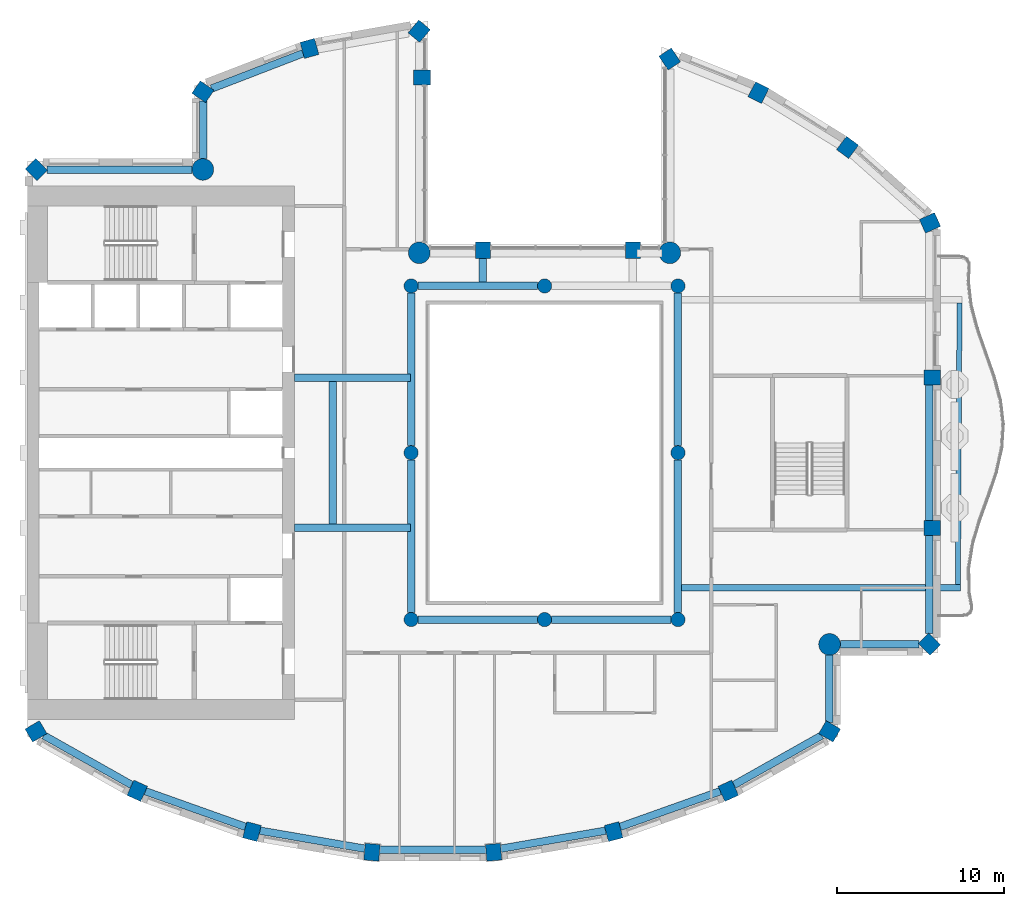
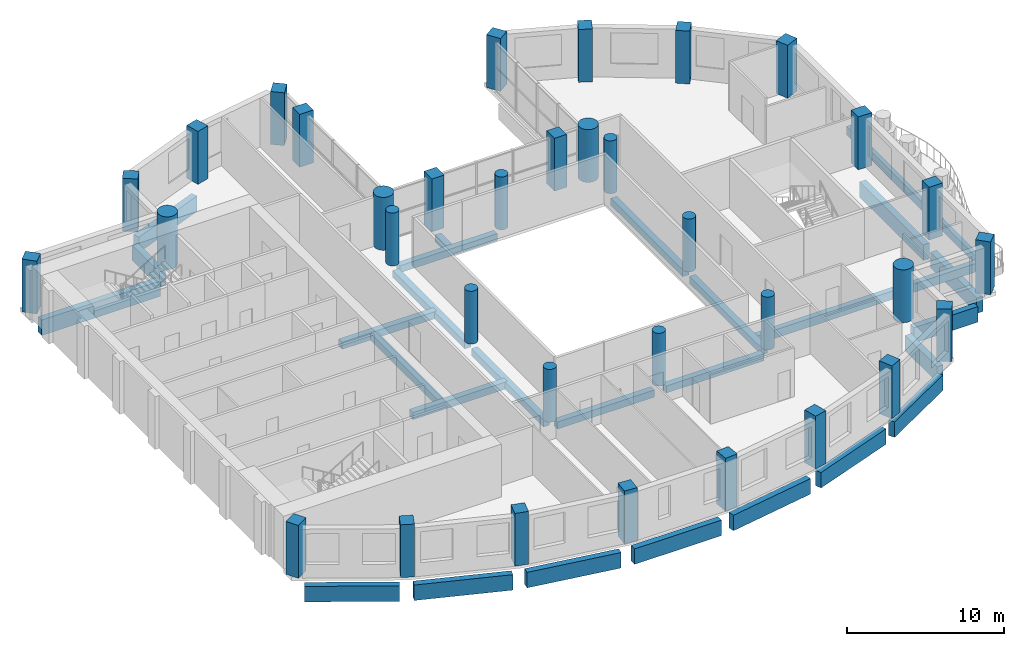
# One storey, part 1 of 14: 34 columns, 27 beams.
"""IFC4 building model written with IfcOpenShell, lengths in metres."""

from ifc_helpers import new_model, si_unit, direction, frame, origin, origin_2d, place, context, subcontext, project, spatial, rectangle, circle, extrude, material, material_profile, profile_set, type_object, element, save


model = new_model("IFC4")

# Units and contexts
model_context = context("Model", 3, precision=1e-05, world=origin(), true_north=direction((0.0, 1.0)))
body_context = subcontext(model_context, "Body", "Model", "MODEL_VIEW")
ifc_project = project(units=[si_unit("LENGTHUNIT", "METRE"), si_unit("AREAUNIT", "SQUARE_METRE"), si_unit("VOLUMEUNIT", "CUBIC_METRE"), si_unit("PLANEANGLEUNIT", "RADIAN"), si_unit("MASSUNIT", "GRAM", prefix="KILO")], contexts=[model_context])

# Site, building, storey
site_placement = place(None, origin())
site = spatial("IfcSite", under=ifc_project, at=site_placement, CompositionType="ELEMENT")
building_placement = place(site_placement, origin())
building = spatial("IfcBuilding", under=site, at=building_placement, Name="Cypress Arch Tower", CompositionType="ELEMENT")
storey_placement = place(building_placement, frame((0.0, 0.0, 280.300048828125)))
storey = spatial("IfcBuildingStorey", under=building, at=storey_placement, Name="L63", CompositionType="ELEMENT", Elevation=280.300048828125)

# Columns
ifc_material_1 = material(Name="Concrete C60/75", Category="concrete")
ifc_material_profile_1 = material_profile(ifc_material_1, rectangle(XDim=0.89990234375, YDim=1.0, at=origin_2d()), Name="RC 900x1000")
ifc_profile_set_1 = profile_set([ifc_material_profile_1], Name="Concrete C60/75")
column_type_1 = type_object("IfcColumnType", Name="Column RC 900x1000 Concrete C60/75", PredefinedType="COLUMN", material=ifc_profile_set_1)
for number, where, z_axis, x_axis, name in (
    (1, (8.5029296875, 23.606201171875, 0.0), (0.0, 0.0, 1.0), (-0.828469606019, -0.560034027451, 0.0), "Column L63 CC00"),
    (2, (6.300048828125, 12.14990234375, 0.0), (0.0, 0.0, 1.0), (-1.0, 0.0, 0.0), "Column L63 CC02"),
    (3, (-2.699951171875, 12.14990234375, 0.0), (0.0, 0.0, 1.0), (-1.0, 0.0, 0.0), "Column L63 CC03"),
    (4, (-6.35009765625, 22.5, 0.0), (0.0, 0.0, 1.0), (0.0, 1.0, 0.0), "Column L63 CC05"),
    (5, (-6.51611328125, 25.27490234375, 0.0), (0.0, 0.0, 1.0), (-0.766063514674, 0.642764880407, 0.0), "Column L63 CC06"),
    (6, (-13.0947265625, 24.241455078125, 0.0), (0.0, 0.0, 1.0), (-0.96345574646, -0.267867550506, 0.0), "Column L63 CC07"),
    (7, (-19.483154296875, 21.645263671875, 0.0), (0.0, 0.0, 1.0), (-0.565892599589, -0.824478966215, 0.0), "Column L63 CC08"),
    (8, (-29.478271484375, 16.978271484375, 0.0), (0.0, 0.0, 1.0), (-0.707106781187, -0.707106781187, 0.0), "Column L63 CC10"),
    (9, (-29.4912109375, -16.702880859375, 0.0), (0.0, 0.0, 1.0), (0.504399289829, -0.86347053014, 0.0), "Column L63 CC11"),
    (10, (-23.4189453125, -20.266845703125, 0.0), (0.0, 0.0, 1.0), (0.909932071487, -0.414757308891, 0.0), "Column L63 CC12"),
    (11, (-16.541748046875, -22.714599609375, 0.0), (0.0, 0.0, 1.0), (0.96735573689, -0.2534223319, 0.0), "Column L63 CC13"),
    (12, (-9.346923828125, -23.95361328125, 0.0), (0.0, 0.0, 1.0), (0.996368206733, -0.085149260784, 0.0), "Column L63 CC14"),
    (13, (-2.052978515625, -23.95361328125, 0.0), (0.0, 0.0, 1.0), (0.996368206733, 0.085149260784, 0.0), "Column L63 CC15"),
    (14, (5.1416015625, -22.714599609375, 0.0), (0.0, 0.0, 1.0), (0.96735573689, 0.2534223319, 0.0), "Column L63 CC16"),
    (15, (12.01904296875, -20.266845703125, 0.0), (0.0, 0.0, 1.0), (0.909932071487, 0.414757308891, 0.0), "Column L63 CC17"),
    (16, (18.09130859375, -16.702880859375, 0.0), (0.0, 0.0, 1.0), (0.504399289829, 0.86347053014, 0.0), "Column L63 CC18"),
    (17, (24.078369140625, -11.478271484375, 0.0), (0.0, 0.0, 1.0), (0.707106781187, 0.707106781187, 0.0), "Column L63 CC20"),
    (18, (24.25, -4.5, 0.0), (0.0, 0.0, 1.0), (0.0, 1.0, 0.0), "Column L63 CC21"),
    (19, (24.25, 4.5, 0.0), (0.0, 0.0, 1.0), (0.0, 1.0, 0.0), "Column L63 CC22"),
    (20, (24.109619140625, 13.77978515625, 0.0), (0.0, 0.0, 1.0), (-0.409765058504, 0.912191096662, 0.0), "Column L63 CC23"),
    (21, (19.168212890625, 18.307861328125, 0.0), (0.0, 0.0, 1.0), (-0.802798546114, 0.596250362144, 0.0), "Column L63 CC24"),
    (22, (13.82568359375, 21.59375, 0.0), (0.0, 0.0, 1.0), (-0.893106499805, 0.44984528452, 0.0), "Column L63 CC25"),
):
    element("IfcColumn", number, at=place(storey_placement, frame(where, z_axis=z_axis, x_axis=x_axis)), inside=storey, type_object=column_type_1, Name=name, PredefinedType="COLUMN", context=body_context, shape_type="SweptSolid", body=[
        extrude(rectangle(XDim=0.89990234375, YDim=1.0, at=origin_2d()), origin(), (0.0, 0.0, 1.0), 4.099853515625),
    ])
ifc_material_2 = material(Name="Concrete C60/75", Category="concrete")
ifc_material_profile_2 = material_profile(ifc_material_2, circle(Radius=0.425048828125, at=origin_2d()), Name="RC D850")
ifc_profile_set_2 = profile_set([ifc_material_profile_2], Name="Concrete C60/75")
column_type_2 = type_object("IfcColumnType", Name="Column RC D850 Concrete C60/75", PredefinedType="COLUMN", material=ifc_profile_set_2)
for number, where, z_axis, x_axis, name in (
    (23, (-7.0, -10.0, 0.0), (0.0, 0.0, 1.0), (1.0, 0.0, 0.0), "Column L63 RNG-L63-G-7-10"),
    (24, (-7.0, 0.0, 0.0), (0.0, 0.0, 1.0), (1.0, 0.0, 0.0), "Column L63 RNG-L63-G-7+0"),
    (25, (-7.0, 10.0, 0.0), (0.0, 0.0, 1.0), (1.0, 0.0, 0.0), "Column L63 RNG-L63-G-7+10"),
    (26, (1.0, -10.0, 0.0), (0.0, 0.0, 1.0), (1.0, 0.0, 0.0), "Column L63 RNG-L63-G+1-10"),
    (27, (1.0, 10.0, 0.0), (0.0, 0.0, 1.0), (1.0, 0.0, 0.0), "Column L63 RNG-L63-G+1+10"),
    (28, (9.0, -10.0, 0.0), (0.0, 0.0, 1.0), (1.0, 0.0, 0.0), "Column L63 RNG-L63-G+9-10"),
    (29, (9.0, 0.0, 0.0), (0.0, 0.0, 1.0), (1.0, 0.0, 0.0), "Column L63 RNG-L63-G+9+0"),
    (30, (9.0, 10.0, 0.0), (0.0, 0.0, 1.0), (1.0, 0.0, 0.0), "Column L63 RNG-L63-G+9+10"),
):
    element("IfcColumn", number, at=place(storey_placement, frame(where, z_axis=z_axis, x_axis=x_axis)), inside=storey, type_object=column_type_2, Name=name, PredefinedType="COLUMN", context=body_context, shape_type="SweptSolid", body=[
        extrude(circle(Radius=0.425048828125, at=origin_2d()), origin(), (0.0, 0.0, 1.0), 4.099853515625),
    ])
ifc_material_3 = material(Name="Concrete C60/75", Category="concrete")
ifc_material_profile_3 = material_profile(ifc_material_3, circle(Radius=0.64990234375, at=origin_2d()), Name="RC D1300")
ifc_profile_set_3 = profile_set([ifc_material_profile_3], Name="Concrete C60/75")
column_type_3 = type_object("IfcColumnType", Name="Mega-column RC D1300 Concrete C60/75", PredefinedType="COLUMN", material=ifc_profile_set_3)
for number, where, z_axis, x_axis, name in (
    (31, (8.51220703125, 11.98779296875, 0.0), (0.0, 0.0, 1.0), (1.0, 0.0, 0.0), "Column L63 CC01"),
    (32, (-6.51220703125, 11.98779296875, 0.0), (0.0, 0.0, 1.0), (1.0, 0.0, 0.0), "Column L63 CC04"),
    (33, (-19.48779296875, 16.98779296875, 0.0), (0.0, 0.0, 1.0), (1.0, 0.0, 0.0), "Column L63 CC09"),
    (34, (18.087890625, -11.48779296875, 0.0), (0.0, 0.0, 1.0), (1.0, 0.0, 0.0), "Column L63 CC19"),
):
    element("IfcColumn", number, at=place(storey_placement, frame(where, z_axis=z_axis, x_axis=x_axis)), inside=storey, type_object=column_type_3, Name=name, PredefinedType="COLUMN", context=body_context, shape_type="SweptSolid", body=[
        extrude(circle(Radius=0.64990234375, at=origin_2d()), origin(), (0.0, 0.0, 1.0), 4.099853515625),
    ])

# Beams
ifc_material_4 = material(Name="Concrete C50/60", Category="concrete")
ifc_material_profile_4 = material_profile(ifc_material_4, rectangle(XDim=0.300048828125, YDim=0.64990234375, at=origin_2d()), Name="RC 300x650")
ifc_profile_set_4 = profile_set([ifc_material_profile_4], Name="Concrete C50/60")
beam_type_1 = type_object("IfcBeamType", Name="Balcony edge beam RC 300x650 Concrete C50/60", PredefinedType="BEAM", material=ifc_profile_set_4)
beam_1_placement = place(storey_placement, frame((25.78955078125, -7.89990234375, -0.625), z_axis=(0.005307151473, 0.999985916972, 0.0), x_axis=(-0.999985916972, 0.005307151473, 0.0)))
element("IfcBeam", 35, at=beam_1_placement, inside=storey, type_object=beam_type_1, Name="Balcony edge beam L63 C17", PredefinedType="BEAM", context=body_context, shape_type="SweptSolid", body=[
    extrude(rectangle(XDim=0.300048828125, YDim=0.64990234375, at=origin_2d()), origin(), (0.0, 0.0, 1.0), 16.8828125),
])
ifc_material_5 = material(Name="Concrete C50/60", Category="concrete")
ifc_material_profile_5 = material_profile(ifc_material_5, rectangle(XDim=0.39990234375, YDim=0.64990234375, at=origin_2d()), Name="RC 400x650")
ifc_profile_set_5 = profile_set([ifc_material_profile_5], Name="Concrete C50/60")
beam_type_2 = type_object("IfcBeamType", Name="Cantilever beam RC 400x650 Concrete C50/60", PredefinedType="BEAM", material=ifc_profile_set_5)
beam_2_placement = place(storey_placement, frame((9.22509765625, -8.10009765625, -0.625), z_axis=(1.0, 0.0, 0.0), x_axis=(0.0, 1.0, 0.0)))
element("IfcBeam", 36, at=beam_2_placement, inside=storey, type_object=beam_type_2, Name="Cantilever beam L63 C17 1", PredefinedType="BEAM", context=body_context, shape_type="SweptSolid", body=[
    extrude(rectangle(XDim=0.39990234375, YDim=0.64990234375, at=origin_2d()), origin(), (0.0, 0.0, 1.0), 16.714599609375),
])
ifc_material_6 = material(Name="Concrete C50/60", Category="concrete")
ifc_material_profile_6 = material_profile(ifc_material_6, rectangle(XDim=0.449951171875, YDim=0.550048828125, at=origin_2d()), Name="RC 450x550")
ifc_profile_set_6 = profile_set([ifc_material_profile_6], Name="Concrete C50/60")
beam_type_3 = type_object("IfcBeamType", Name="Floor beam RC 450x550 Concrete C50/60", PredefinedType="BEAM", material=ifc_profile_set_6)
for number, where, z_axis, x_axis, name in (
    (37, (-7.0, -9.574951171875, -0.574951171875), (0.0, 1.0, 0.0), (-1.0, 0.0, 0.0), "Floor beam L63 RB001"),
    (38, (-7.0, 0.425048828125, -0.574951171875), (0.0, 1.0, 0.0), (-1.0, 0.0, 0.0), "Floor beam L63 RB002"),
    (39, (9.0, -9.574951171875, -0.574951171875), (0.0, 1.0, 0.0), (-1.0, 0.0, 0.0), "Floor beam L63 RB003"),
    (40, (9.0, 0.425048828125, -0.574951171875), (0.0, 1.0, 0.0), (-1.0, 0.0, 0.0), "Floor beam L63 RB004"),
):
    element("IfcBeam", number, at=place(storey_placement, frame(where, z_axis=z_axis, x_axis=x_axis)), inside=storey, type_object=beam_type_3, Name=name, PredefinedType="BEAM", context=body_context, shape_type="SweptSolid", body=[
        extrude(rectangle(XDim=0.449951171875, YDim=0.550048828125, at=origin_2d()), origin(), (0.0, 0.0, 1.0), 9.14990234375),
    ])
for number, where, z_axis, x_axis, name in (
    (41, (-6.574951171875, -10.0, -0.574951171875), (1.0, 0.0, 0.0), (0.0, 1.0, 0.0), "Floor beam L63 RB005"),
    (42, (1.425048828125, -10.0, -0.574951171875), (1.0, 0.0, 0.0), (0.0, 1.0, 0.0), "Floor beam L63 RB006"),
    (43, (-6.574951171875, 10.0, -0.574951171875), (1.0, 0.0, 0.0), (0.0, 1.0, 0.0), "Floor beam L63 RB007"),
):
    element("IfcBeam", number, at=place(storey_placement, frame(where, z_axis=z_axis, x_axis=x_axis)), inside=storey, type_object=beam_type_3, Name=name, PredefinedType="BEAM", context=body_context, shape_type="SweptSolid", body=[
        extrude(rectangle(XDim=0.449951171875, YDim=0.550048828125, at=origin_2d()), origin(), (0.0, 0.0, 1.0), 7.14990234375),
    ])
for number, where, z_axis, x_axis, name in (
    (44, (-14.0, -4.5, -0.574951171875), (1.0, 0.0, 0.0), (0.0, 1.0, 0.0), "Floor beam L63 FB009"),
    (45, (-14.0, 4.5, -0.574951171875), (1.0, 0.0, 0.0), (0.0, 1.0, 0.0), "Floor beam L63 FB010"),
):
    element("IfcBeam", number, at=place(storey_placement, frame(where, z_axis=z_axis, x_axis=x_axis)), inside=storey, type_object=beam_type_3, Name=name, PredefinedType="BEAM", context=body_context, shape_type="SweptSolid", body=[
        extrude(rectangle(XDim=0.449951171875, YDim=0.550048828125, at=origin_2d()), origin(), (0.0, 0.0, 1.0), 6.949951171875),
    ])
beam_3_placement = place(storey_placement, frame((-11.699951171875, -4.27490234375, -0.574951171875), z_axis=(0.0, 1.0, 0.0), x_axis=(-1.0, 0.0, 0.0)))
element("IfcBeam", 46, at=beam_3_placement, inside=storey, type_object=beam_type_3, Name="Floor beam L63 FB011", PredefinedType="BEAM", context=body_context, shape_type="SweptSolid", body=[
    extrude(rectangle(XDim=0.449951171875, YDim=0.550048828125, at=origin_2d()), origin(), (0.0, 0.0, 1.0), 8.5498046875),
])
beam_4_placement = place(storey_placement, frame((-2.699951171875, 10.22509765625, -0.574951171875), z_axis=(0.0, 1.0, 0.0), x_axis=(-1.0, 0.0, 0.0)))
element("IfcBeam", 47, at=beam_4_placement, inside=storey, type_object=beam_type_3, Name="Floor beam L63 FB012", PredefinedType="BEAM", context=body_context, shape_type="SweptSolid", body=[
    extrude(rectangle(XDim=0.449951171875, YDim=0.550048828125, at=origin_2d()), origin(), (0.0, 0.0, 1.0), 1.4248046875),
])
ifc_material_7 = material(Name="Concrete C50/60", Category="concrete")
ifc_material_profile_7 = material_profile(ifc_material_7, rectangle(XDim=0.449951171875, YDim=1.199951171875, at=origin_2d()), Name="RC 450x1200")
ifc_profile_set_7 = profile_set([ifc_material_profile_7], Name="Concrete C50/60")
beam_type_4 = type_object("IfcBeamType", Name="Spandrel beam RC 450x1200 Concrete C50/60", PredefinedType="SPANDREL", material=ifc_profile_set_7)
beam_5_placement = place(storey_placement, frame((-13.48046875, 23.94921875, -1.550048828125), z_axis=(-0.933138853319, -0.359516175472, 0.0), x_axis=(0.359516175472, -0.933138853319, 0.0)))
element("IfcBeam", 48, at=beam_5_placement, inside=storey, type_object=beam_type_4, Name="Spandrel beam L63 BC04-0", PredefinedType="SPANDREL", context=body_context, shape_type="SweptSolid", body=[
    extrude(rectangle(XDim=0.449951171875, YDim=1.199951171875, at=origin_2d()), origin(), (0.0, 0.0, 1.0), 5.878173828125),
])
beam_6_placement = place(storey_placement, frame((-19.47509765625, 21.09375, -1.550048828125), z_axis=(0.0, -1.0, 0.0), x_axis=(1.0, 0.0, 0.0)))
element("IfcBeam", 49, at=beam_6_placement, inside=storey, type_object=beam_type_4, Name="Spandrel beam L63 BC05-0", PredefinedType="SPANDREL", context=body_context, shape_type="SweptSolid", body=[
    extrude(rectangle(XDim=0.449951171875, YDim=1.199951171875, at=origin_2d()), origin(), (0.0, 0.0, 1.0), 3.456298828125),
])
beam_7_placement = place(storey_placement, frame((-20.137451171875, 16.97509765625, -1.550048828125), z_axis=(-1.0, 0.0, 0.0), x_axis=(0.0, -1.0, 0.0)))
element("IfcBeam", 50, at=beam_7_placement, inside=storey, type_object=beam_type_4, Name="Spandrel beam L63 BC06-0", PredefinedType="SPANDREL", context=body_context, shape_type="SweptSolid", body=[
    extrude(rectangle(XDim=0.449951171875, YDim=1.199951171875, at=origin_2d()), origin(), (0.0, 0.0, 1.0), 8.701171875),
])
beam_8_placement = place(storey_placement, frame((-29.02099609375, -16.94921875, -1.550048828125), z_axis=(0.871059543975, -0.491177433165, 0.0), x_axis=(0.491177433165, 0.871059543975, 0.0)))
element("IfcBeam", 51, at=beam_8_placement, inside=storey, type_object=beam_type_4, Name="Spandrel beam L63 BC08-0", PredefinedType="SPANDREL", context=body_context, shape_type="SweptSolid", body=[
    extrude(rectangle(XDim=0.449951171875, YDim=1.199951171875, at=origin_2d()), origin(), (0.0, 0.0, 1.0), 6.045654296875),
])
beam_9_placement = place(storey_placement, frame((-22.93603515625, -20.2919921875, -1.550048828125), z_axis=(0.942120065582, -0.33527568064, 0.0), x_axis=(0.33527568064, 0.942120065582, 0.0)))
element("IfcBeam", 52, at=beam_9_placement, inside=storey, type_object=beam_type_4, Name="Spandrel beam L63 BC09-0", PredefinedType="SPANDREL", context=body_context, shape_type="SweptSolid", body=[
    extrude(rectangle(XDim=0.449951171875, YDim=1.199951171875, at=origin_2d()), origin(), (0.0, 0.0, 1.0), 6.373046875),
])
beam_10_placement = place(storey_placement, frame((-16.061279296875, -22.656982421875, -1.550048828125), z_axis=(0.985502990778, -0.169658053646, 0.0), x_axis=(0.169658053646, 0.985502990778, 0.0)))
element("IfcBeam", 53, at=beam_10_placement, inside=storey, type_object=beam_type_4, Name="Spandrel beam L63 BC10-0", PredefinedType="SPANDREL", context=body_context, shape_type="SweptSolid", body=[
    extrude(rectangle(XDim=0.449951171875, YDim=1.199951171875, at=origin_2d()), origin(), (0.0, 0.0, 1.0), 6.373291015625),
])
beam_11_placement = place(storey_placement, frame((-8.883544921875, -23.81494140625, -1.550048828125), z_axis=(1.0, 0.0, 0.0), x_axis=(0.0, 1.0, 0.0)))
element("IfcBeam", 54, at=beam_11_placement, inside=storey, type_object=beam_type_4, Name="Spandrel beam L63 BC11-0", PredefinedType="SPANDREL", context=body_context, shape_type="SweptSolid", body=[
    extrude(rectangle(XDim=0.449951171875, YDim=1.199951171875, at=origin_2d()), origin(), (0.0, 0.0, 1.0), 6.366943359375),
])
beam_12_placement = place(storey_placement, frame((-1.619873046875, -23.73828125, -1.550048828125), z_axis=(0.985504093315, 0.169651649149, 0.0), x_axis=(-0.169651649149, 0.985504093315, 0.0)))
element("IfcBeam", 55, at=beam_12_placement, inside=storey, type_object=beam_type_4, Name="Spandrel beam L63 BC12-0", PredefinedType="SPANDREL", context=body_context, shape_type="SweptSolid", body=[
    extrude(rectangle(XDim=0.449951171875, YDim=1.199951171875, at=origin_2d()), origin(), (0.0, 0.0, 1.0), 6.37353515625),
])
beam_13_placement = place(storey_placement, frame((5.531982421875, -22.4287109375, -1.550048828125), z_axis=(0.942115759102, 0.335287781541, 0.0), x_axis=(-0.335287781541, 0.942115759102, 0.0)))
element("IfcBeam", 56, at=beam_13_placement, inside=storey, type_object=beam_type_4, Name="Spandrel beam L63 BC13-0", PredefinedType="SPANDREL", context=body_context, shape_type="SweptSolid", body=[
    extrude(rectangle(XDim=0.449951171875, YDim=1.199951171875, at=origin_2d()), origin(), (0.0, 0.0, 1.0), 6.372802734375),
])
beam_14_placement = place(storey_placement, frame((12.35498046875, -19.918701171875, -1.550048828125), z_axis=(0.871059543975, 0.491177433165, 0.0), x_axis=(-0.491177433165, 0.871059543975, 0.0)))
element("IfcBeam", 57, at=beam_14_placement, inside=storey, type_object=beam_type_4, Name="Spandrel beam L63 BC14-0", PredefinedType="SPANDREL", context=body_context, shape_type="SweptSolid", body=[
    extrude(rectangle(XDim=0.449951171875, YDim=1.199951171875, at=origin_2d()), origin(), (0.0, 0.0, 1.0), 6.045654296875),
])
beam_15_placement = place(storey_placement, frame((18.074951171875, -16.172119140625, -1.550048828125), z_axis=(0.0, 1.0, 0.0), x_axis=(-1.0, 0.0, 0.0)))
element("IfcBeam", 58, at=beam_15_placement, inside=storey, type_object=beam_type_4, Name="Spandrel beam L63 BC15-0", PredefinedType="SPANDREL", context=body_context, shape_type="SweptSolid", body=[
    extrude(rectangle(XDim=0.449951171875, YDim=1.199951171875, at=origin_2d()), origin(), (0.0, 0.0, 1.0), 4.03466796875),
])
beam_16_placement = place(storey_placement, frame((18.737548828125, -11.47509765625, -1.550048828125), z_axis=(1.0, 0.0, 0.0), x_axis=(0.0, 1.0, 0.0)))
element("IfcBeam", 59, at=beam_16_placement, inside=storey, type_object=beam_type_4, Name="Spandrel beam L63 BC16-0", PredefinedType="SPANDREL", context=body_context, shape_type="SweptSolid", body=[
    extrude(rectangle(XDim=0.449951171875, YDim=1.199951171875, at=origin_2d()), origin(), (0.0, 0.0, 1.0), 4.701171875),
])
beam_17_placement = place(storey_placement, frame((24.074951171875, -10.838623046875, -1.550048828125), z_axis=(0.0, 1.0, 0.0), x_axis=(-1.0, 0.0, 0.0)))
element("IfcBeam", 60, at=beam_17_placement, inside=storey, type_object=beam_type_4, Name="Spandrel beam L63 BC17-0", PredefinedType="SPANDREL", context=body_context, shape_type="SweptSolid", body=[
    extrude(rectangle(XDim=0.449951171875, YDim=1.199951171875, at=origin_2d()), origin(), (0.0, 0.0, 1.0), 5.888671875),
])
beam_18_placement = place(storey_placement, frame((24.074951171875, -4.050048828125, -1.550048828125), z_axis=(0.0, 1.0, 0.0), x_axis=(-1.0, 0.0, 0.0)))
element("IfcBeam", 61, at=beam_18_placement, inside=storey, type_object=beam_type_4, Name="Spandrel beam L63 BC17-1", PredefinedType="SPANDREL", context=body_context, shape_type="SweptSolid", body=[
    extrude(rectangle(XDim=0.449951171875, YDim=1.199951171875, at=origin_2d()), origin(), (0.0, 0.0, 1.0), 8.10009765625),
])

save(model, "model.ifc")
